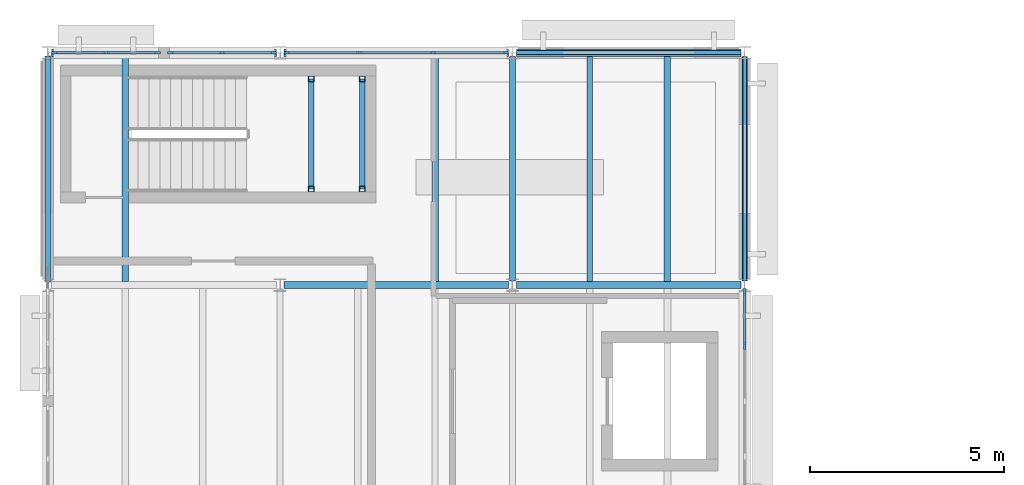
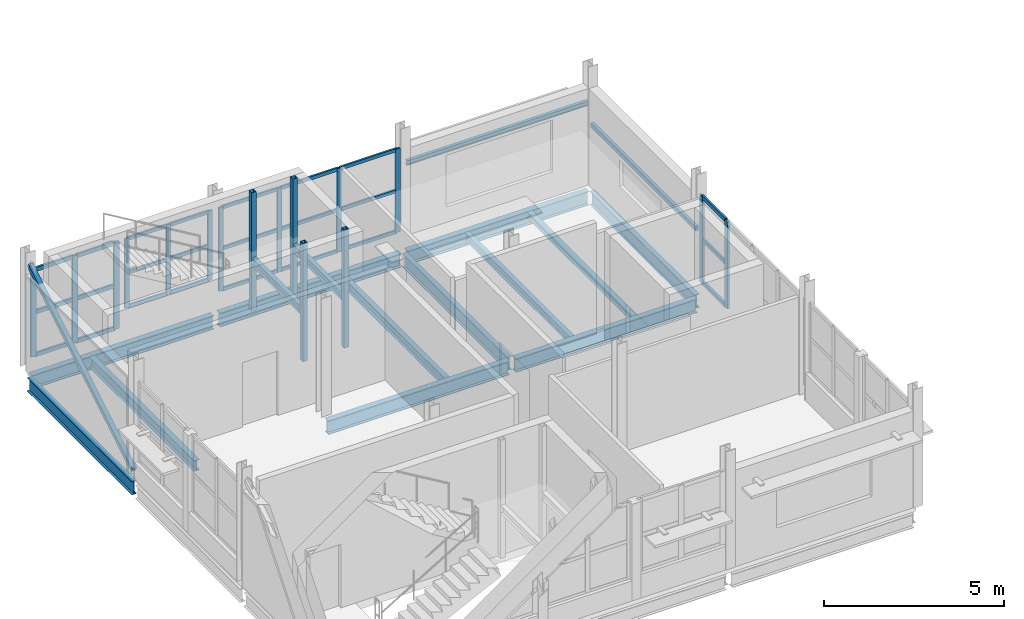
# One storey, part 5 of 23: 41 members, 16 beams, 4 elements without a shape of their own.
"""IFC4 building model written with IfcOpenShell, lengths in metres."""

import ifcopenshell
import ifcopenshell.guid

model = None  # the IFC model being written
_history = None  # IfcOwnerHistory: only IFC2X3 demands one
_inside = {}  # id of a spatial element -> (the spatial element, [elements in it])
_under = {}  # id of a project, library or spatial element -> (it, [spatial elements below it])
_declared = {}  # id of a project -> (the project, [libraries it declares])
_typed = {}  # id of a type object -> (the type object, [elements of that type])
_made_of = {}  # id of a material, layer set ... -> (it, [elements and type objects made of it])


def new_model(schema):
    """Start an empty IFC model of exactly this schema.

    Asked for "IFC4X3", IfcOpenShell would pick the latest addendum, in which some entities
    have other attributes; the version numbers below select the first issue.
    IFC2X3 requires an IfcOwnerHistory on every rooted entity: one is made here for all.
    """
    global model, _history
    if schema == "IFC4X3":
        model = ifcopenshell.file(schema_version=(4, 3, 0, 0))
    else:
        model = ifcopenshell.file(schema=schema)
    _inside.clear()
    _under.clear()
    _declared.clear()
    _typed.clear()
    _made_of.clear()
    _history = None
    if model.schema == "IFC2X3":
        org = make("IfcOrganization", Name="unknown")
        user = make(
            "IfcPersonAndOrganization",
            ThePerson=make("IfcPerson", FamilyName="unknown"),
            TheOrganization=org,
        )
        app = make(
            "IfcApplication",
            ApplicationDeveloper=org,
            Version="unknown",
            ApplicationFullName="unknown",
            ApplicationIdentifier="unknown",
        )
        _history = make(
            "IfcOwnerHistory",
            OwningUser=user,
            OwningApplication=app,
            ChangeAction="ADDED",
            CreationDate=0,
        )
    return model


def make(cls, **values):
    """One entity of the class cls with the attributes given. An attribute that is None is left unset."""
    return model.create_entity(
        cls, **{name: value for name, value in values.items() if value is not None}
    )


def rooted(cls, **values):
    """An entity with a GlobalId (a new one), such as an element, a storey or a relation."""
    return make(cls, GlobalId=ifcopenshell.guid.new(), OwnerHistory=_history, **values)


def si_unit(unit_type, name, prefix=None):
    """IfcSIUnit, for example si_unit("LENGTHUNIT", "METRE", prefix="MILLI")."""
    return make("IfcSIUnit", UnitType=unit_type, Prefix=prefix, Name=name)


def assignment(units):
    """IfcUnitAssignment: the units of a project."""
    return None if units is None else make("IfcUnitAssignment", Units=units)


def point(xyz):
    """IfcCartesianPoint."""
    return None if xyz is None else make("IfcCartesianPoint", Coordinates=xyz)


def direction(xyz):
    """IfcDirection."""
    return None if xyz is None else make("IfcDirection", DirectionRatios=xyz)


def frame(location, z_axis=None, x_axis=None):
    """IfcAxis2Placement3D, a coordinate frame: its origin and axes. An axis left out is left unset."""
    return make(
        "IfcAxis2Placement3D",
        Location=point(location),
        Axis=direction(z_axis),
        RefDirection=direction(x_axis),
    )


def frame_2d(location, x_axis=None):
    """IfcAxis2Placement2D, a coordinate frame in the plane: its origin and x axis."""
    return make(
        "IfcAxis2Placement2D", Location=point(location), RefDirection=direction(x_axis)
    )


def origin():
    """The frame at (0, 0, 0) with its axes left unset."""
    return frame((0.0, 0.0, 0.0))


def origin_2d():
    """The frame at (0, 0) in the plane with its x axis left unset."""
    return frame_2d((0.0, 0.0))


def place(relative_to, where):
    """IfcLocalPlacement: puts the frame where relative to a parent placement (None: the world)."""
    return make(
        "IfcLocalPlacement", PlacementRelTo=relative_to, RelativePlacement=where
    )


def context(
    kind, dimensions, precision=None, world=None, true_north=None, identifier=None
):
    """IfcGeometricRepresentationContext, for example the 3D "Model" context."""
    return make(
        "IfcGeometricRepresentationContext",
        ContextIdentifier=identifier,
        ContextType=kind,
        CoordinateSpaceDimension=dimensions,
        Precision=precision,
        WorldCoordinateSystem=world,
        TrueNorth=true_north,
    )


def subcontext(parent, identifier, kind, view, scale=None):
    """IfcGeometricRepresentationSubContext, for example "Body" below "Model"."""
    return make(
        "IfcGeometricRepresentationSubContext",
        ContextIdentifier=identifier,
        ContextType=kind,
        ParentContext=parent,
        TargetScale=scale,
        TargetView=view,
    )


def project(units=None, contexts=None):
    """IfcProject with its units and contexts."""
    return rooted(
        "IfcProject",
        Name="project",
        RepresentationContexts=contexts,
        UnitsInContext=assignment(units),
    )


def spatial(cls, under=None, at=None, **own):
    """A site, building, storey or space (cls), placed at a placement, below another one or the project."""
    s = rooted(cls, ObjectPlacement=at, **own)
    if under is not None:
        _under.setdefault(under.id(), (under, []))[1].append(s)
    return s


def profile(cls, at=None, kind="AREA", **sizes):
    """A parametric profile (cls). Its sizes go by their IFC names, for example OverallWidth=200.0."""
    return make(cls, ProfileType=kind, Position=at, **sizes)


def rectangle(**sizes):
    """IfcRectangleProfileDef."""
    return profile("IfcRectangleProfileDef", **sizes)


def hollow_rectangle(**sizes):
    """IfcRectangleHollowProfileDef."""
    return profile("IfcRectangleHollowProfileDef", **sizes)


def i_section(**sizes):
    """IfcIShapeProfileDef."""
    return profile("IfcIShapeProfileDef", **sizes)


def extrude(swept, where, along, depth):
    """IfcExtrudedAreaSolid: the profile swept, set in the frame where, extruded along a direction by depth."""
    return make(
        "IfcExtrudedAreaSolid",
        SweptArea=swept,
        Position=where,
        ExtrudedDirection=direction(along),
        Depth=depth,
    )


def shape(context_of_items, identifier, shape_type, items):
    """IfcShapeRepresentation: the items that make up one representation, for example the "Body"."""
    return make(
        "IfcShapeRepresentation",
        ContextOfItems=context_of_items,
        RepresentationIdentifier=identifier,
        RepresentationType=shape_type,
        Items=items,
    )


def material(Name=None, Category=None):
    """IfcMaterial."""
    return make("IfcMaterial", Name=Name, Category=Category)


def material_profile(
    of_material, cross_section, Name=None, Category=None, Priority=None
):
    """IfcMaterialProfile: a cross section and its material."""
    return make(
        "IfcMaterialProfile",
        Name=Name,
        Material=of_material,
        Profile=cross_section,
        Priority=Priority,
        Category=Category,
    )


def profile_set(profiles, Name=None, composite=None):
    """IfcMaterialProfileSet."""
    return make(
        "IfcMaterialProfileSet",
        Name=Name,
        MaterialProfiles=profiles,
        CompositeProfile=composite,
    )


def made_of(thing, what):
    """Note that an element or type object is made of a material, layer set ...; save() writes the relation."""
    if what is not None:
        _made_of.setdefault(what.id(), (what, []))[1].append(thing)
    return thing


def type_object(cls, material=None, **own):
    """A type object (cls), such as IfcWallType, which elements share."""
    return made_of(rooted(cls, **own), material)


def element(
    cls,
    number,
    at=None,
    inside=None,
    cuts=None,
    type_object=None,
    material=None,
    context=None,
    identifier="Body",
    shape_type=None,
    held_by="IfcProductDefinitionShape",
    body=None,
    shapes=None,
    **own,
):
    """One element of the class cls, such as IfcWall. Its Tag is "e" and its number.

    at: its placement. inside: the storey or other place that contains it. cuts: it is an
    opening in that element (IfcRelVoidsElement). A single representation is given by context,
    identifier, shape_type and body (its items); several are given by shapes. held_by: the class
    of the entity that holds the representations. save() writes the other relations.
    """
    e = rooted(cls, Tag="e%d" % number, ObjectPlacement=at, **own)
    if body is not None:
        shapes = [shape(context, identifier, shape_type, body)]
    if shapes is not None:
        e.Representation = make(held_by, Representations=shapes)
    if inside is not None:
        _inside.setdefault(inside.id(), (inside, []))[1].append(e)
    if cuts is not None:
        rooted(
            "IfcRelVoidsElement", RelatingBuildingElement=cuts, RelatedOpeningElement=e
        )
    if type_object is not None:
        _typed.setdefault(type_object.id(), (type_object, []))[1].append(e)
    return made_of(e, material)


def aggregate(whole, parts):
    """IfcRelAggregates: a whole, such as a stair, and the parts it consists of."""
    return rooted("IfcRelAggregates", RelatingObject=whole, RelatedObjects=parts)


def save(model, path):
    """Write the relations noted so far, then the file.

    IfcRelAggregates (storeys below a building ...), IfcRelContainedInSpatialStructure (elements
    in a storey), IfcRelDefinesByType, IfcRelAssociatesMaterial and IfcRelDeclares: one each for
    every whole, place, type object, material and project.
    """
    for whole, parts in _under.values():
        aggregate(whole, parts)
    for where, things in _inside.values():
        rooted(
            "IfcRelContainedInSpatialStructure",
            RelatedElements=things,
            RelatingStructure=where,
        )
    for kind, things in _typed.values():
        rooted("IfcRelDefinesByType", RelatedObjects=things, RelatingType=kind)
    for what, things in _made_of.values():
        rooted("IfcRelAssociatesMaterial", RelatedObjects=things, RelatingMaterial=what)
    for by, libraries in _declared.values():
        rooted("IfcRelDeclares", RelatingContext=by, RelatedDefinitions=libraries)
    model.write(path)


model = new_model("IFC4")

# Units and contexts
model_context = context("Model", 3, precision=1e-05, world=origin(), true_north=direction((0.0, 1.0)))
body_context = subcontext(model_context, "Body", "Model", "MODEL_VIEW")
ifc_project = project(units=[si_unit("LENGTHUNIT", "METRE"), si_unit("AREAUNIT", "SQUARE_METRE"), si_unit("VOLUMEUNIT", "CUBIC_METRE"), si_unit("PLANEANGLEUNIT", "RADIAN"), si_unit("MASSUNIT", "GRAM", prefix="KILO")], contexts=[model_context])

# Site, building, storey
site_placement = place(None, origin())
site = spatial("IfcSite", under=ifc_project, at=site_placement, CompositionType="ELEMENT")
building_placement = place(site_placement, origin())
building = spatial("IfcBuilding", under=site, at=building_placement, Name="Siltcreek Boulevard Central Fire Station", CompositionType="ELEMENT")
storey_placement = place(building_placement, frame((0.0, 0.0, 14.0)))
storey = spatial("IfcBuildingStorey", under=building, at=storey_placement, Name="L04", CompositionType="ELEMENT", Elevation=14.0)

# Beams
ifc_material_1 = material(Name="Structural steel ASTM A992 Gr50", Category="steel")
ifc_material_profile_1 = material_profile(ifc_material_1, i_section(OverallWidth=0.154052734375, OverallDepth=0.458984375, WebThickness=0.009033203125, FlangeThickness=0.015380859375, at=origin_2d()), Name="W460X68")
ifc_profile_set_1 = profile_set([ifc_material_profile_1], Name="Structural steel ASTM A992 Gr50")
beam_type_1 = type_object("IfcBeamType", Name="BM_W460X68", PredefinedType="BEAM", material=ifc_profile_set_1)
for number, where, z_axis, x_axis, name in (
    (1, (42.0, 106.300048828125, -0.489501953125), (0.0, 1.0, 0.0), (-1.0, 0.0, 0.0), "L04 primary steel girder GY-0530"),
    (2, (54.0, 106.300048828125, -0.489501953125), (0.0, 1.0, 0.0), (-1.0, 0.0, 0.0), "L04 primary steel girder GY-0534"),
    (3, (60.0, 106.300048828125, -0.489501953125), (0.0, 1.0, 0.0), (-1.0, 0.0, 0.0), "L04 primary steel girder GY-0537"),
):
    element("IfcBeam", number, at=place(storey_placement, frame(where, z_axis=z_axis, x_axis=x_axis)), inside=storey, type_object=beam_type_1, Name=name, PredefinedType="BEAM", context=body_context, shape_type="SweptSolid", body=[
        extrude(i_section(OverallWidth=0.154052734375, OverallDepth=0.458984375, WebThickness=0.009033203125, FlangeThickness=0.015380859375, at=origin_2d()), origin(), (0.0, 0.0, 1.0), 5.800048828125),
    ])
ifc_material_profile_2 = material_profile(ifc_material_1, i_section(OverallWidth=0.19189453125, OverallDepth=0.462890625, WebThickness=0.010498046875, FlangeThickness=0.017578125, at=origin_2d()), Name="W460X89")
ifc_profile_set_2 = profile_set([ifc_material_profile_2], Name="Structural steel ASTM A992 Gr50")
beam_type_2 = type_object("IfcBeamType", Name="BM_W460X89", PredefinedType="BEAM", material=ifc_profile_set_2)
for number, where, z_axis, x_axis, name in (
    (4, (48.10009765625, 106.199951171875, -0.491455078125), (1.0, 0.0, 0.0), (0.0, 1.0, 0.0), "L04 primary steel girder GX-0523"),
    (5, (54.10009765625, 106.199951171875, -0.491455078125), (1.0, 0.0, 0.0), (0.0, 1.0, 0.0), "L04 primary steel girder GX-0524"),
    (6, (42.10009765625, 112.199951171875, -0.491455078125), (1.0, 0.0, 0.0), (0.0, 1.0, 0.0), "L04 primary steel girder GX-0525"),
    (7, (48.10009765625, 112.199951171875, -0.491455078125), (1.0, 0.0, 0.0), (0.0, 1.0, 0.0), "L04 primary steel girder GX-0526"),
    (8, (54.10009765625, 112.199951171875, -0.491455078125), (1.0, 0.0, 0.0), (0.0, 1.0, 0.0), "L04 primary steel girder GX-0527"),
):
    element("IfcBeam", number, at=place(storey_placement, frame(where, z_axis=z_axis, x_axis=x_axis)), inside=storey, type_object=beam_type_2, Name=name, PredefinedType="BEAM", context=body_context, shape_type="SweptSolid", body=[
        extrude(i_section(OverallWidth=0.19189453125, OverallDepth=0.462890625, WebThickness=0.010498046875, FlangeThickness=0.017578125, at=origin_2d()), origin(), (0.0, 0.0, 1.0), 5.7998046875),
    ])

# Members
ifc_material_2 = material(Name="Structural steel ASTM A500 GrC", Category="steel")
ifc_material_profile_3 = material_profile(ifc_material_2, hollow_rectangle(XDim=0.14990234375, YDim=0.14990234375, WallThickness=0.00634765625, at=origin_2d()), Name="HSS150X150X6.4")
ifc_profile_set_3 = profile_set([ifc_material_profile_3], Name="Structural steel ASTM A500 GrC")
member_type_1 = type_object("IfcMemberType", Name="BR_HSS150_6", PredefinedType="BRACE", material=ifc_profile_set_3)
member_1_placement = place(storey_placement, frame((42.0, 106.320068359375, 0.10009765625), z_axis=(0.0, 0.857890513261, 0.513832528415), x_axis=(-1.0, 0.0, 0.0)))
element("IfcMember", 9, at=member_1_placement, inside=storey, type_object=member_type_1, Name="L04 SCBF concentrically braced frame BR-022", PredefinedType="BRACE", context=body_context, shape_type="SweptSolid", body=[
    extrude(hollow_rectangle(XDim=0.14990234375, YDim=0.14990234375, WallThickness=0.00634765625, at=origin_2d()), origin(), (0.0, 0.0, 1.0), 6.714111328125),
])
ifc_material_profile_4 = material_profile(ifc_material_2, hollow_rectangle(XDim=0.14990234375, YDim=0.14990234375, WallThickness=0.008056640625, at=origin_2d()), Name="HSS150X150X8.0")
ifc_profile_set_4 = profile_set([ifc_material_profile_4], Name="Structural steel ASTM A500 GrC")
member_type_2 = type_object("IfcMemberType", Name="BR_HSS150_8", PredefinedType="BRACE", material=ifc_profile_set_4)
for number, where, z_axis, x_axis, name in (
    (10, (48.800048828125, 108.679931640625, 0.0), (0.0, 0.0, 1.0), (1.0, 0.0, 0.0), "L04 ST-V3B stair landing corner post SW"),
    (11, (48.800048828125, 111.52001953125, 0.0), (0.0, 0.0, 1.0), (1.0, 0.0, 0.0), "L04 ST-V3B stair landing corner post NW"),
    (12, (50.1201171875, 108.679931640625, 0.0), (0.0, 0.0, 1.0), (1.0, 0.0, 0.0), "L04 ST-V3B stair landing corner post SE"),
    (13, (50.1201171875, 111.52001953125, 0.0), (0.0, 0.0, 1.0), (1.0, 0.0, 0.0), "L04 ST-V3B stair landing corner post NE"),
):
    element("IfcMember", number, at=place(storey_placement, frame(where, z_axis=z_axis, x_axis=x_axis)), inside=storey, type_object=member_type_2, Name=name, PredefinedType="BRACE", context=body_context, shape_type="SweptSolid", body=[
        extrude(hollow_rectangle(XDim=0.14990234375, YDim=0.14990234375, WallThickness=0.008056640625, at=origin_2d()), origin(), (0.0, 0.0, 1.0), 4.0),
    ])

# Curtain wall, members
ifc_material_3 = material(Name="Anodized aluminum and low-E insulated glazing", Category="aluminium")
curtain_wall_type_1 = type_object("IfcCurtainWallType", Name="CW_SYS_30", PredefinedType="USERDEFINED", material=ifc_material_3)
curtain_wall_1_placement = place(storey_placement, origin())
curtain_wall_1 = element("IfcCurtainWall", 14, at=curtain_wall_1_placement, inside=storey, type_object=curtain_wall_type_1, Name="L04 V3 unitised curtain wall CW-059", ObjectType="CURTAIN WALL", PredefinedType="USERDEFINED")
ifc_material_4 = material(Name="Anodized 6063-T6 aluminum framing", Category="aluminium")
ifc_material_profile_5 = material_profile(ifc_material_4, rectangle(XDim=0.06005859375, YDim=0.14990234375, at=origin_2d()), Name="MULL60X150")
ifc_profile_set_5 = profile_set([ifc_material_profile_5], Name="Anodized 6063-T6 aluminum framing")
member_type_3 = type_object("IfcMemberType", Name="CWM_60X150", PredefinedType="MULLION", material=ifc_profile_set_5)
member_2_placement = place(storey_placement, frame((47.824951171875, 112.199951171875, 0.919921875), z_axis=(0.0, 0.0, 1.0), x_axis=(0.0, -1.0, 0.0)))
member_2 = element("IfcMember", 15, at=member_2_placement, type_object=member_type_3, Name="CW-059 mullion 1", PredefinedType="MULLION", context=body_context, shape_type="SweptSolid", body=[
    extrude(rectangle(XDim=0.06005859375, YDim=0.14990234375, at=origin_2d()), origin(), (0.0, 0.0, 1.0), 2.34912109375),
])
member_3_placement = place(storey_placement, frame((46.49755859375, 112.199951171875, 0.919921875), z_axis=(0.0, 0.0, 1.0), x_axis=(0.0, -1.0, 0.0)))
member_3 = element("IfcMember", 16, at=member_3_placement, type_object=member_type_3, Name="CW-059 mullion 2", PredefinedType="MULLION", context=body_context, shape_type="SweptSolid", body=[
    extrude(rectangle(XDim=0.06005859375, YDim=0.14990234375, at=origin_2d()), origin(), (0.0, 0.0, 1.0), 2.34912109375),
])
member_4_placement = place(storey_placement, frame((45.169921875, 112.199951171875, 0.919921875), z_axis=(0.0, 0.0, 1.0), x_axis=(0.0, -1.0, 0.0)))
member_4 = element("IfcMember", 17, at=member_4_placement, type_object=member_type_3, Name="CW-059 mullion 3", PredefinedType="MULLION", context=body_context, shape_type="SweptSolid", body=[
    extrude(rectangle(XDim=0.06005859375, YDim=0.14990234375, at=origin_2d()), origin(), (0.0, 0.0, 1.0), 2.34912109375),
])

curtain_wall_type_2 = type_object("IfcCurtainWallType", Name="CW_SYS_02", PredefinedType="USERDEFINED", material=ifc_material_3)
curtain_wall_2_placement = place(storey_placement, origin())
curtain_wall_2 = element("IfcCurtainWall", 18, at=curtain_wall_2_placement, inside=storey, type_object=curtain_wall_type_2, Name="L04 V3 unitised curtain wall CW-061", ObjectType="CURTAIN WALL", PredefinedType="USERDEFINED")
member_5_placement = place(storey_placement, frame((53.824951171875, 112.199951171875, 0.43994140625), z_axis=(0.0, 0.0, 1.0), x_axis=(0.0, -1.0, 0.0)))
member_5 = element("IfcMember", 19, at=member_5_placement, type_object=member_type_3, Name="CW-061 mullion 1", PredefinedType="MULLION", context=body_context, shape_type="SweptSolid", body=[
    extrude(rectangle(XDim=0.06005859375, YDim=0.14990234375, at=origin_2d()), origin(), (0.0, 0.0, 1.0), 2.8291015625),
])
member_6_placement = place(storey_placement, frame((51.95166015625, 112.199951171875, 0.43994140625), z_axis=(0.0, 0.0, 1.0), x_axis=(0.0, -1.0, 0.0)))
member_6 = element("IfcMember", 20, at=member_6_placement, type_object=member_type_3, Name="CW-061 mullion 2", PredefinedType="MULLION", context=body_context, shape_type="SweptSolid", body=[
    extrude(rectangle(XDim=0.06005859375, YDim=0.14990234375, at=origin_2d()), origin(), (0.0, 0.0, 1.0), 2.8291015625),
])
member_7_placement = place(storey_placement, frame((50.04833984375, 112.199951171875, 0.43994140625), z_axis=(0.0, 0.0, 1.0), x_axis=(0.0, -1.0, 0.0)))
member_7 = element("IfcMember", 21, at=member_7_placement, type_object=member_type_3, Name="CW-061 mullion 3", PredefinedType="MULLION", context=body_context, shape_type="SweptSolid", body=[
    extrude(rectangle(XDim=0.06005859375, YDim=0.14990234375, at=origin_2d()), origin(), (0.0, 0.0, 1.0), 2.8291015625),
])
member_8_placement = place(storey_placement, frame((48.175048828125, 112.199951171875, 0.43994140625), z_axis=(0.0, 0.0, 1.0), x_axis=(0.0, -1.0, 0.0)))
member_8 = element("IfcMember", 22, at=member_8_placement, type_object=member_type_3, Name="CW-061 mullion 4", PredefinedType="MULLION", context=body_context, shape_type="SweptSolid", body=[
    extrude(rectangle(XDim=0.06005859375, YDim=0.14990234375, at=origin_2d()), origin(), (0.0, 0.0, 1.0), 2.8291015625),
])

curtain_wall_type_3 = type_object("IfcCurtainWallType", Name="CW_SYS_01", PredefinedType="USERDEFINED", material=ifc_material_3)
curtain_wall_3_placement = place(storey_placement, origin())
curtain_wall_3 = element("IfcCurtainWall", 23, at=curtain_wall_3_placement, inside=storey, type_object=curtain_wall_type_3, Name="L04 V3 unitised curtain wall CW-060", ObjectType="CURTAIN WALL", PredefinedType="USERDEFINED")
ifc_material_profile_6 = material_profile(ifc_material_4, rectangle(XDim=0.06494140625, YDim=0.175048828125, at=origin_2d()), Name="MULL65X175")
ifc_profile_set_6 = profile_set([ifc_material_profile_6], Name="Anodized 6063-T6 aluminum framing")
member_type_4 = type_object("IfcMemberType", Name="CWM_65X175", PredefinedType="MULLION", material=ifc_profile_set_6)
member_9_placement = place(storey_placement, frame((44.827392578125, 112.199951171875, 0.320068359375), z_axis=(0.0, 0.0, 1.0), x_axis=(0.0, -1.0, 0.0)))
member_9 = element("IfcMember", 24, at=member_9_placement, type_object=member_type_4, Name="CW-060 mullion 1", PredefinedType="MULLION", context=body_context, shape_type="SweptSolid", body=[
    extrude(rectangle(XDim=0.06494140625, YDim=0.175048828125, at=origin_2d()), origin(), (0.0, 0.0, 1.0), 2.948974609375),
])
member_10_placement = place(storey_placement, frame((43.50244140625, 112.199951171875, 0.320068359375), z_axis=(0.0, 0.0, 1.0), x_axis=(0.0, -1.0, 0.0)))
member_10 = element("IfcMember", 25, at=member_10_placement, type_object=member_type_4, Name="CW-060 mullion 2", PredefinedType="MULLION", context=body_context, shape_type="SweptSolid", body=[
    extrude(rectangle(XDim=0.06494140625, YDim=0.175048828125, at=origin_2d()), origin(), (0.0, 0.0, 1.0), 2.948974609375),
])
member_11_placement = place(storey_placement, frame((42.177490234375, 112.199951171875, 0.320068359375), z_axis=(0.0, 0.0, 1.0), x_axis=(0.0, -1.0, 0.0)))
member_11 = element("IfcMember", 26, at=member_11_placement, type_object=member_type_4, Name="CW-060 mullion 3", PredefinedType="MULLION", context=body_context, shape_type="SweptSolid", body=[
    extrude(rectangle(XDim=0.06494140625, YDim=0.175048828125, at=origin_2d()), origin(), (0.0, 0.0, 1.0), 2.948974609375),
])

curtain_wall_type_4 = type_object("IfcCurtainWallType", Name="CW_SYS_07", PredefinedType="USERDEFINED", material=ifc_material_3)
curtain_wall_4_placement = place(storey_placement, origin())
curtain_wall_4 = element("IfcCurtainWall", 27, at=curtain_wall_4_placement, inside=storey, type_object=curtain_wall_type_4, Name="L04 V3 unitised curtain wall CW-066", ObjectType="CURTAIN WALL", PredefinedType="USERDEFINED")
member_12_placement = place(storey_placement, frame((60.0, 104.62744140625, 0.320068359375), z_axis=(0.0, 0.0, 1.0), x_axis=(-1.0, 0.0, 0.0)))
member_12 = element("IfcMember", 28, at=member_12_placement, type_object=member_type_4, Name="CW-066 mullion 4", PredefinedType="MULLION", context=body_context, shape_type="SweptSolid", body=[
    extrude(rectangle(XDim=0.06494140625, YDim=0.175048828125, at=origin_2d()), origin(), (0.0, 0.0, 1.0), 2.952880859375),
])
member_13_placement = place(storey_placement, frame((60.0, 106.0224609375, 0.320068359375), z_axis=(0.0, 0.0, 1.0), x_axis=(-1.0, 0.0, 0.0)))
member_13 = element("IfcMember", 29, at=member_13_placement, type_object=member_type_4, Name="CW-066 mullion 5", PredefinedType="MULLION", context=body_context, shape_type="SweptSolid", body=[
    extrude(rectangle(XDim=0.06494140625, YDim=0.175048828125, at=origin_2d()), origin(), (0.0, 0.0, 1.0), 2.952880859375),
])

# Member
ifc_material_profile_7 = material_profile(ifc_material_4, rectangle(XDim=0.06005859375, YDim=0.114990234375, at=origin_2d()), Name="TRAN60X115")
ifc_profile_set_7 = profile_set([ifc_material_profile_7], Name="Anodized 6063-T6 aluminum framing")
member_type_5 = type_object("IfcMemberType", Name="CWT_60X115", PredefinedType="USERDEFINED", material=ifc_profile_set_7)
member_14_placement = place(storey_placement, frame((47.794921875, 112.199951171875, 0.949951171875), z_axis=(-1.0, 0.0, 0.0), x_axis=(0.0, -1.0, 0.0)))
member_14 = element("IfcMember", 30, at=member_14_placement, type_object=member_type_5, Name="CW-059 transom 1.1", ObjectType="TRANSOM", PredefinedType="USERDEFINED", context=body_context, shape_type="SweptSolid", body=[
    extrude(rectangle(XDim=0.06005859375, YDim=0.114990234375, at=origin_2d()), origin(), (0.0, 0.0, 1.0), 1.267333984375),
])

member_15_placement = place(storey_placement, frame((47.794921875, 112.199951171875, 2.094482421875), z_axis=(-1.0, 0.0, 0.0), x_axis=(0.0, -1.0, 0.0)))
member_15 = element("IfcMember", 31, at=member_15_placement, type_object=member_type_5, Name="CW-059 transom 1.2", ObjectType="TRANSOM", PredefinedType="USERDEFINED", context=body_context, shape_type="SweptSolid", body=[
    extrude(rectangle(XDim=0.06005859375, YDim=0.114990234375, at=origin_2d()), origin(), (0.0, 0.0, 1.0), 1.267333984375),
])

member_16_placement = place(storey_placement, frame((47.794921875, 112.199951171875, 3.239013671875), z_axis=(-1.0, 0.0, 0.0), x_axis=(0.0, -1.0, 0.0)))
member_16 = element("IfcMember", 32, at=member_16_placement, type_object=member_type_5, Name="CW-059 transom 1.3", ObjectType="TRANSOM", PredefinedType="USERDEFINED", context=body_context, shape_type="SweptSolid", body=[
    extrude(rectangle(XDim=0.06005859375, YDim=0.114990234375, at=origin_2d()), origin(), (0.0, 0.0, 1.0), 1.267333984375),
])

member_17_placement = place(storey_placement, frame((46.467529296875, 112.199951171875, 0.949951171875), z_axis=(-1.0, 0.0, 0.0), x_axis=(0.0, -1.0, 0.0)))
member_17 = element("IfcMember", 33, at=member_17_placement, type_object=member_type_5, Name="CW-059 transom 2.1", ObjectType="TRANSOM", PredefinedType="USERDEFINED", context=body_context, shape_type="SweptSolid", body=[
    extrude(rectangle(XDim=0.06005859375, YDim=0.114990234375, at=origin_2d()), origin(), (0.0, 0.0, 1.0), 1.267578125),
])

member_18_placement = place(storey_placement, frame((46.467529296875, 112.199951171875, 2.094482421875), z_axis=(-1.0, 0.0, 0.0), x_axis=(0.0, -1.0, 0.0)))
member_18 = element("IfcMember", 34, at=member_18_placement, type_object=member_type_5, Name="CW-059 transom 2.2", ObjectType="TRANSOM", PredefinedType="USERDEFINED", context=body_context, shape_type="SweptSolid", body=[
    extrude(rectangle(XDim=0.06005859375, YDim=0.114990234375, at=origin_2d()), origin(), (0.0, 0.0, 1.0), 1.267578125),
])

member_19_placement = place(storey_placement, frame((46.467529296875, 112.199951171875, 3.239013671875), z_axis=(-1.0, 0.0, 0.0), x_axis=(0.0, -1.0, 0.0)))
member_19 = element("IfcMember", 35, at=member_19_placement, type_object=member_type_5, Name="CW-059 transom 2.3", ObjectType="TRANSOM", PredefinedType="USERDEFINED", context=body_context, shape_type="SweptSolid", body=[
    extrude(rectangle(XDim=0.06005859375, YDim=0.114990234375, at=origin_2d()), origin(), (0.0, 0.0, 1.0), 1.267578125),
])

aggregate(curtain_wall_1, [member_2, member_3, member_4, member_14, member_15, member_16, member_17, member_18, member_19])

member_20_placement = place(storey_placement, frame((53.794921875, 112.199951171875, 0.469970703125), z_axis=(-1.0, 0.0, 0.0), x_axis=(0.0, -1.0, 0.0)))
member_20 = element("IfcMember", 36, at=member_20_placement, type_object=member_type_5, Name="CW-061 transom 1.1", ObjectType="TRANSOM", PredefinedType="USERDEFINED", context=body_context, shape_type="SweptSolid", body=[
    extrude(rectangle(XDim=0.06005859375, YDim=0.114990234375, at=origin_2d()), origin(), (0.0, 0.0, 1.0), 1.813232421875),
])

member_21_placement = place(storey_placement, frame((53.794921875, 112.199951171875, 1.8544921875), z_axis=(-1.0, 0.0, 0.0), x_axis=(0.0, -1.0, 0.0)))
member_21 = element("IfcMember", 37, at=member_21_placement, type_object=member_type_5, Name="CW-061 transom 1.2", ObjectType="TRANSOM", PredefinedType="USERDEFINED", context=body_context, shape_type="SweptSolid", body=[
    extrude(rectangle(XDim=0.06005859375, YDim=0.114990234375, at=origin_2d()), origin(), (0.0, 0.0, 1.0), 1.813232421875),
])

member_22_placement = place(storey_placement, frame((53.794921875, 112.199951171875, 3.239013671875), z_axis=(-1.0, 0.0, 0.0), x_axis=(0.0, -1.0, 0.0)))
member_22 = element("IfcMember", 38, at=member_22_placement, type_object=member_type_5, Name="CW-061 transom 1.3", ObjectType="TRANSOM", PredefinedType="USERDEFINED", context=body_context, shape_type="SweptSolid", body=[
    extrude(rectangle(XDim=0.06005859375, YDim=0.114990234375, at=origin_2d()), origin(), (0.0, 0.0, 1.0), 1.813232421875),
])

member_23_placement = place(storey_placement, frame((51.921630859375, 112.199951171875, 0.469970703125), z_axis=(-1.0, 0.0, 0.0), x_axis=(0.0, -1.0, 0.0)))
member_23 = element("IfcMember", 39, at=member_23_placement, type_object=member_type_5, Name="CW-061 transom 2.1", ObjectType="TRANSOM", PredefinedType="USERDEFINED", context=body_context, shape_type="SweptSolid", body=[
    extrude(rectangle(XDim=0.06005859375, YDim=0.114990234375, at=origin_2d()), origin(), (0.0, 0.0, 1.0), 1.84326171875),
])

member_24_placement = place(storey_placement, frame((51.921630859375, 112.199951171875, 1.8544921875), z_axis=(-1.0, 0.0, 0.0), x_axis=(0.0, -1.0, 0.0)))
member_24 = element("IfcMember", 40, at=member_24_placement, type_object=member_type_5, Name="CW-061 transom 2.2", ObjectType="TRANSOM", PredefinedType="USERDEFINED", context=body_context, shape_type="SweptSolid", body=[
    extrude(rectangle(XDim=0.06005859375, YDim=0.114990234375, at=origin_2d()), origin(), (0.0, 0.0, 1.0), 1.84326171875),
])

member_25_placement = place(storey_placement, frame((51.921630859375, 112.199951171875, 3.239013671875), z_axis=(-1.0, 0.0, 0.0), x_axis=(0.0, -1.0, 0.0)))
member_25 = element("IfcMember", 41, at=member_25_placement, type_object=member_type_5, Name="CW-061 transom 2.3", ObjectType="TRANSOM", PredefinedType="USERDEFINED", context=body_context, shape_type="SweptSolid", body=[
    extrude(rectangle(XDim=0.06005859375, YDim=0.114990234375, at=origin_2d()), origin(), (0.0, 0.0, 1.0), 1.84326171875),
])

member_26_placement = place(storey_placement, frame((50.018310546875, 112.199951171875, 0.469970703125), z_axis=(-1.0, 0.0, 0.0), x_axis=(0.0, -1.0, 0.0)))
member_26 = element("IfcMember", 42, at=member_26_placement, type_object=member_type_5, Name="CW-061 transom 3.1", ObjectType="TRANSOM", PredefinedType="USERDEFINED", context=body_context, shape_type="SweptSolid", body=[
    extrude(rectangle(XDim=0.06005859375, YDim=0.114990234375, at=origin_2d()), origin(), (0.0, 0.0, 1.0), 1.813232421875),
])

member_27_placement = place(storey_placement, frame((50.018310546875, 112.199951171875, 1.8544921875), z_axis=(-1.0, 0.0, 0.0), x_axis=(0.0, -1.0, 0.0)))
member_27 = element("IfcMember", 43, at=member_27_placement, type_object=member_type_5, Name="CW-061 transom 3.2", ObjectType="TRANSOM", PredefinedType="USERDEFINED", context=body_context, shape_type="SweptSolid", body=[
    extrude(rectangle(XDim=0.06005859375, YDim=0.114990234375, at=origin_2d()), origin(), (0.0, 0.0, 1.0), 1.813232421875),
])

member_28_placement = place(storey_placement, frame((50.018310546875, 112.199951171875, 3.239013671875), z_axis=(-1.0, 0.0, 0.0), x_axis=(0.0, -1.0, 0.0)))
member_28 = element("IfcMember", 44, at=member_28_placement, type_object=member_type_5, Name="CW-061 transom 3.3", ObjectType="TRANSOM", PredefinedType="USERDEFINED", context=body_context, shape_type="SweptSolid", body=[
    extrude(rectangle(XDim=0.06005859375, YDim=0.114990234375, at=origin_2d()), origin(), (0.0, 0.0, 1.0), 1.813232421875),
])

aggregate(curtain_wall_2, [member_5, member_6, member_7, member_8, member_20, member_21, member_22, member_23, member_24, member_25, member_26, member_27, member_28])

ifc_material_profile_8 = material_profile(ifc_material_4, rectangle(XDim=0.06494140625, YDim=0.135009765625, at=origin_2d()), Name="TRAN65X135")
ifc_profile_set_8 = profile_set([ifc_material_profile_8], Name="Anodized 6063-T6 aluminum framing")
member_type_6 = type_object("IfcMemberType", Name="CWT_65X135", PredefinedType="USERDEFINED", material=ifc_profile_set_8)
member_29_placement = place(storey_placement, frame((44.794921875, 112.199951171875, 0.3525390625), z_axis=(-1.0, 0.0, 0.0), x_axis=(0.0, -1.0, 0.0)))
member_29 = element("IfcMember", 45, at=member_29_placement, type_object=member_type_6, Name="CW-060 transom 1.1", ObjectType="TRANSOM", PredefinedType="USERDEFINED", context=body_context, shape_type="SweptSolid", body=[
    extrude(rectangle(XDim=0.06494140625, YDim=0.135009765625, at=origin_2d()), origin(), (0.0, 0.0, 1.0), 1.260009765625),
])

member_30_placement = place(storey_placement, frame((44.794921875, 112.199951171875, 1.79443359375), z_axis=(-1.0, 0.0, 0.0), x_axis=(0.0, -1.0, 0.0)))
member_30 = element("IfcMember", 46, at=member_30_placement, type_object=member_type_6, Name="CW-060 transom 1.2", ObjectType="TRANSOM", PredefinedType="USERDEFINED", context=body_context, shape_type="SweptSolid", body=[
    extrude(rectangle(XDim=0.06494140625, YDim=0.135009765625, at=origin_2d()), origin(), (0.0, 0.0, 1.0), 1.260009765625),
])

member_31_placement = place(storey_placement, frame((44.794921875, 112.199951171875, 3.236572265625), z_axis=(-1.0, 0.0, 0.0), x_axis=(0.0, -1.0, 0.0)))
member_31 = element("IfcMember", 47, at=member_31_placement, type_object=member_type_6, Name="CW-060 transom 1.3", ObjectType="TRANSOM", PredefinedType="USERDEFINED", context=body_context, shape_type="SweptSolid", body=[
    extrude(rectangle(XDim=0.06494140625, YDim=0.135009765625, at=origin_2d()), origin(), (0.0, 0.0, 1.0), 1.260009765625),
])

member_32_placement = place(storey_placement, frame((43.469970703125, 112.199951171875, 0.3525390625), z_axis=(-1.0, 0.0, 0.0), x_axis=(0.0, -1.0, 0.0)))
member_32 = element("IfcMember", 48, at=member_32_placement, type_object=member_type_6, Name="CW-060 transom 2.1", ObjectType="TRANSOM", PredefinedType="USERDEFINED", context=body_context, shape_type="SweptSolid", body=[
    extrude(rectangle(XDim=0.06494140625, YDim=0.135009765625, at=origin_2d()), origin(), (0.0, 0.0, 1.0), 1.260009765625),
])

member_33_placement = place(storey_placement, frame((43.469970703125, 112.199951171875, 1.79443359375), z_axis=(-1.0, 0.0, 0.0), x_axis=(0.0, -1.0, 0.0)))
member_33 = element("IfcMember", 49, at=member_33_placement, type_object=member_type_6, Name="CW-060 transom 2.2", ObjectType="TRANSOM", PredefinedType="USERDEFINED", context=body_context, shape_type="SweptSolid", body=[
    extrude(rectangle(XDim=0.06494140625, YDim=0.135009765625, at=origin_2d()), origin(), (0.0, 0.0, 1.0), 1.260009765625),
])

member_34_placement = place(storey_placement, frame((43.469970703125, 112.199951171875, 3.236572265625), z_axis=(-1.0, 0.0, 0.0), x_axis=(0.0, -1.0, 0.0)))
member_34 = element("IfcMember", 50, at=member_34_placement, type_object=member_type_6, Name="CW-060 transom 2.3", ObjectType="TRANSOM", PredefinedType="USERDEFINED", context=body_context, shape_type="SweptSolid", body=[
    extrude(rectangle(XDim=0.06494140625, YDim=0.135009765625, at=origin_2d()), origin(), (0.0, 0.0, 1.0), 1.260009765625),
])

aggregate(curtain_wall_3, [member_9, member_10, member_11, member_29, member_30, member_31, member_32, member_33, member_34])

member_35_placement = place(storey_placement, frame((60.0, 104.659912109375, 0.3525390625), z_axis=(0.0, 1.0, 0.0), x_axis=(-1.0, 0.0, 0.0)))
member_35 = element("IfcMember", 51, at=member_35_placement, type_object=member_type_6, Name="CW-066 transom 4.1", ObjectType="TRANSOM", PredefinedType="USERDEFINED", context=body_context, shape_type="SweptSolid", body=[
    extrude(rectangle(XDim=0.06494140625, YDim=0.135009765625, at=origin_2d()), origin(), (0.0, 0.0, 1.0), 1.330078125),
])

member_36_placement = place(storey_placement, frame((60.0, 104.659912109375, 1.79638671875), z_axis=(0.0, 1.0, 0.0), x_axis=(-1.0, 0.0, 0.0)))
member_36 = element("IfcMember", 52, at=member_36_placement, type_object=member_type_6, Name="CW-066 transom 4.2", ObjectType="TRANSOM", PredefinedType="USERDEFINED", context=body_context, shape_type="SweptSolid", body=[
    extrude(rectangle(XDim=0.06494140625, YDim=0.135009765625, at=origin_2d()), origin(), (0.0, 0.0, 1.0), 1.330078125),
])

member_37_placement = place(storey_placement, frame((60.0, 104.659912109375, 3.240478515625), z_axis=(0.0, 1.0, 0.0), x_axis=(-1.0, 0.0, 0.0)))
member_37 = element("IfcMember", 53, at=member_37_placement, type_object=member_type_6, Name="CW-066 transom 4.3", ObjectType="TRANSOM", PredefinedType="USERDEFINED", context=body_context, shape_type="SweptSolid", body=[
    extrude(rectangle(XDim=0.06494140625, YDim=0.135009765625, at=origin_2d()), origin(), (0.0, 0.0, 1.0), 1.330078125),
])

aggregate(curtain_wall_4, [member_12, member_13, member_35, member_36, member_37])

# Beams
ifc_material_profile_9 = material_profile(ifc_material_1, i_section(OverallWidth=0.1650390625, OverallDepth=0.200927734375, WebThickness=0.006103515625, FlangeThickness=0.01025390625, at=origin_2d()), Name="W200X36")
ifc_profile_set_9 = profile_set([ifc_material_profile_9], Name="Structural steel ASTM A992 Gr50")
beam_type_3 = type_object("IfcBeamType", Name="JST_W200X36", PredefinedType="JOIST", material=ifc_profile_set_9)
beam_1_placement = place(storey_placement, frame((58.0, 106.2939453125, -0.360595703125), z_axis=(0.0, 1.0, 0.0), x_axis=(-1.0, 0.0, 0.0)))
element("IfcBeam", 54, at=beam_1_placement, inside=storey, type_object=beam_type_3, Name="L04 secondary steel floor joist 0460", PredefinedType="JOIST", context=body_context, shape_type="SweptSolid", body=[
    extrude(i_section(OverallWidth=0.1650390625, OverallDepth=0.200927734375, WebThickness=0.006103515625, FlangeThickness=0.01025390625, at=origin_2d()), origin(), (0.0, 0.0, 1.0), 5.81201171875),
])
ifc_material_profile_10 = material_profile(ifc_material_1, i_section(OverallWidth=0.14697265625, OverallDepth=0.261962890625, WebThickness=0.006591796875, FlangeThickness=0.01123046875, at=origin_2d()), Name="W250X39")
ifc_profile_set_10 = profile_set([ifc_material_profile_10], Name="Structural steel ASTM A992 Gr50")
beam_type_4 = type_object("IfcBeamType", Name="JST_W250X39", PredefinedType="JOIST", material=ifc_profile_set_10)
beam_2_placement = place(storey_placement, frame((56.0, 106.2939453125, -0.39111328125), z_axis=(0.0, 1.0, 0.0), x_axis=(-1.0, 0.0, 0.0)))
element("IfcBeam", 55, at=beam_2_placement, inside=storey, type_object=beam_type_4, Name="L04 secondary steel floor joist 0459", PredefinedType="JOIST", context=body_context, shape_type="SweptSolid", body=[
    extrude(i_section(OverallWidth=0.14697265625, OverallDepth=0.261962890625, WebThickness=0.006591796875, FlangeThickness=0.01123046875, at=origin_2d()), origin(), (0.0, 0.0, 1.0), 5.81201171875),
])
for number, where, z_axis, x_axis, name in (
    (56, (48.800048828125, 108.679931640625, 1.6689453125), (0.0, 1.0, 0.0), (-1.0, 0.0, 0.0), "L04 ST-V3B stair landing bearer MIDW"),
    (57, (50.1201171875, 108.679931640625, 1.6689453125), (0.0, 1.0, 0.0), (-1.0, 0.0, 0.0), "L04 ST-V3B stair landing bearer MIDE"),
):
    element("IfcBeam", number, at=place(storey_placement, frame(where, z_axis=z_axis, x_axis=x_axis)), inside=storey, type_object=beam_type_4, Name=name, PredefinedType="JOIST", context=body_context, shape_type="SweptSolid", body=[
        extrude(i_section(OverallWidth=0.14697265625, OverallDepth=0.261962890625, WebThickness=0.006591796875, FlangeThickness=0.01123046875, at=origin_2d()), origin(), (0.0, 0.0, 1.0), 2.840087890625),
    ])
ifc_material_profile_11 = material_profile(ifc_material_1, i_section(OverallWidth=0.166015625, OverallDepth=0.31298828125, WebThickness=0.006591796875, FlangeThickness=0.01123046875, at=origin_2d()), Name="W310X45")
ifc_profile_set_11 = profile_set([ifc_material_profile_11], Name="Structural steel ASTM A992 Gr50")
beam_type_5 = type_object("IfcBeamType", Name="JST_W310X45", PredefinedType="JOIST", material=ifc_profile_set_11)
beam_3_placement = place(storey_placement, frame((52.0, 106.2939453125, -0.41650390625), z_axis=(0.0, 1.0, 0.0), x_axis=(-1.0, 0.0, 0.0)))
element("IfcBeam", 58, at=beam_3_placement, inside=storey, type_object=beam_type_5, Name="L04 secondary steel floor joist 0458", PredefinedType="JOIST", context=body_context, shape_type="SweptSolid", body=[
    extrude(i_section(OverallWidth=0.166015625, OverallDepth=0.31298828125, WebThickness=0.006591796875, FlangeThickness=0.01123046875, at=origin_2d()), origin(), (0.0, 0.0, 1.0), 5.81201171875),
])
ifc_material_profile_12 = material_profile(ifc_material_1, i_section(OverallWidth=0.172119140625, OverallDepth=0.35791015625, WebThickness=0.0078125, FlangeThickness=0.01318359375, at=origin_2d()), Name="W360X57")
ifc_profile_set_12 = profile_set([ifc_material_profile_12], Name="Structural steel ASTM A992 Gr50")
beam_type_6 = type_object("IfcBeamType", Name="JST_W360X57", PredefinedType="JOIST", material=ifc_profile_set_12)
beam_4_placement = place(storey_placement, frame((44.0, 106.2939453125, -0.43896484375), z_axis=(0.0, 1.0, 0.0), x_axis=(-1.0, 0.0, 0.0)))
element("IfcBeam", 59, at=beam_4_placement, inside=storey, type_object=beam_type_6, Name="L04 secondary steel floor joist 0457", PredefinedType="JOIST", context=body_context, shape_type="SweptSolid", body=[
    extrude(i_section(OverallWidth=0.172119140625, OverallDepth=0.35791015625, WebThickness=0.0078125, FlangeThickness=0.01318359375, at=origin_2d()), origin(), (0.0, 0.0, 1.0), 5.81201171875),
])
ifc_material_profile_13 = material_profile(ifc_material_2, hollow_rectangle(XDim=0.10009765625, YDim=0.14990234375, WallThickness=0.00634765625, at=origin_2d()), Name="HSS150X100X6.4")
ifc_profile_set_13 = profile_set([ifc_material_profile_13], Name="Structural steel ASTM A500 GrC")
beam_type_7 = type_object("IfcBeamType", Name="LIN_HSS150X100", PredefinedType="LINTEL", material=ifc_profile_set_13)
beam_5_placement = place(storey_placement, frame((60.0, 106.300048828125, 1.969970703125), z_axis=(0.0, 1.0, 0.0), x_axis=(-1.0, 0.0, 0.0)))
element("IfcBeam", 60, at=beam_5_placement, inside=storey, type_object=beam_type_7, Name="Exterior window steel lintel WLN-27", PredefinedType="LINTEL", context=body_context, shape_type="SweptSolid", body=[
    extrude(hollow_rectangle(XDim=0.10009765625, YDim=0.14990234375, WallThickness=0.00634765625, at=origin_2d()), origin(), (0.0, 0.0, 1.0), 5.800048828125),
])
ifc_material_profile_14 = material_profile(ifc_material_1, i_section(OverallWidth=0.10205078125, OverallDepth=0.159912109375, WebThickness=0.006591796875, FlangeThickness=0.01025390625, at=origin_2d()), Name="W150X24")
ifc_profile_set_14 = profile_set([ifc_material_profile_14], Name="Structural steel ASTM A992 Gr50")
beam_type_8 = type_object("IfcBeamType", Name="LIN_W150X24", PredefinedType="LINTEL", material=ifc_profile_set_14)
beam_6_placement = place(storey_placement, frame((59.89990234375, 112.199951171875, 2.68994140625), z_axis=(-1.0, 0.0, 0.0), x_axis=(0.0, -1.0, 0.0)))
element("IfcBeam", 61, at=beam_6_placement, inside=storey, type_object=beam_type_8, Name="Exterior window steel lintel WLN-26", PredefinedType="LINTEL", context=body_context, shape_type="SweptSolid", body=[
    extrude(i_section(OverallWidth=0.10205078125, OverallDepth=0.159912109375, WebThickness=0.006591796875, FlangeThickness=0.01025390625, at=origin_2d()), origin(), (0.0, 0.0, 1.0), 5.7998046875),
])

save(model, "model.ifc")
